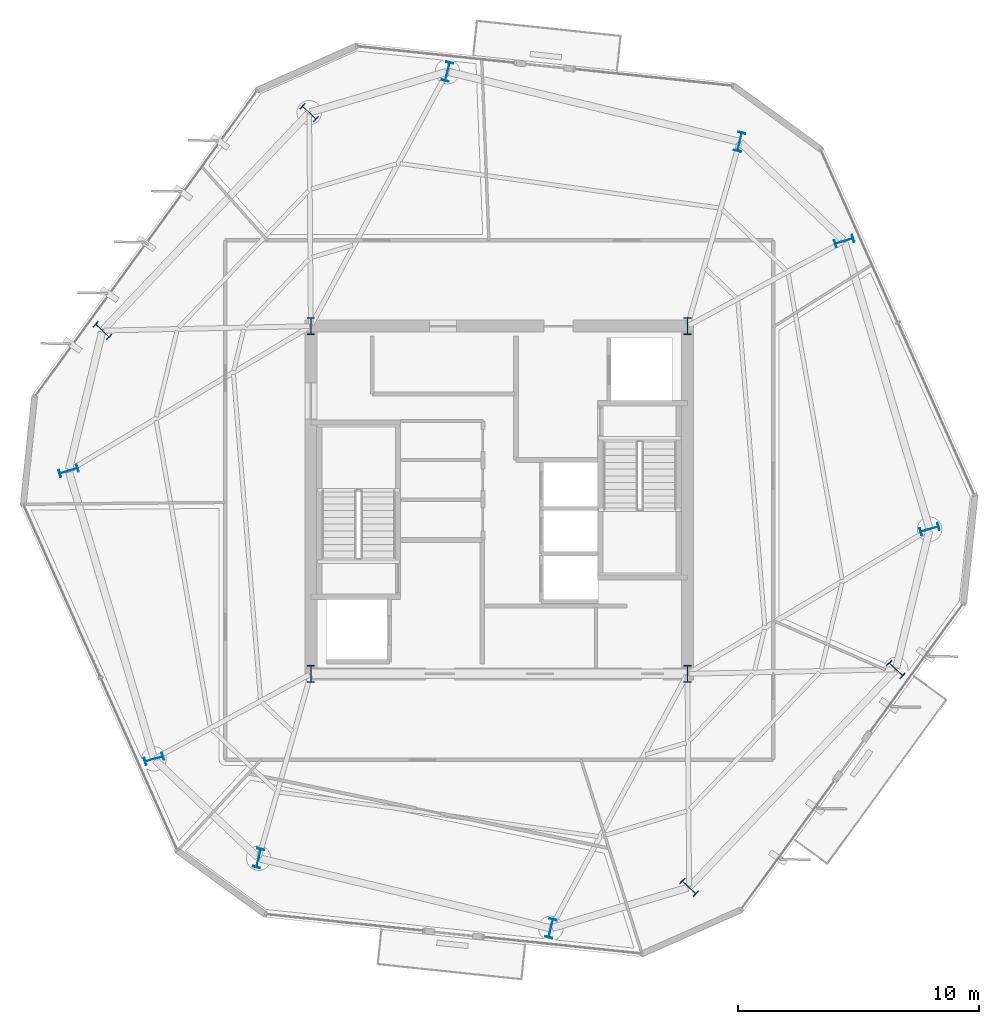
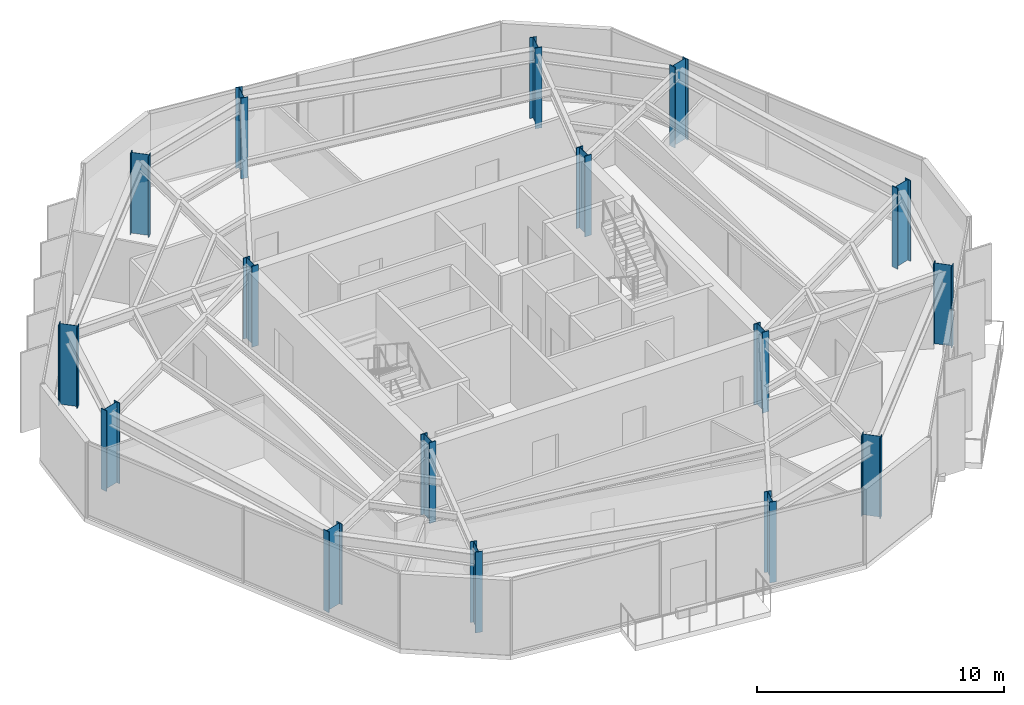
# One storey, part 1 of 12: 16 columns.
"""IFC4 building model written with IfcOpenShell, lengths in metres."""

from ifc_helpers import new_model, si_unit, direction, frame, origin, origin_2d, place, context, subcontext, project, spatial, i_section, extrude, material, material_profile, profile_set, type_object, element, save


model = new_model("IFC4")

# Units and contexts
model_context = context("Model", 3, precision=1e-05, world=origin(), true_north=direction((0.0, 1.0)))
body_context = subcontext(model_context, "Body", "Model", "MODEL_VIEW")
ifc_project = project(units=[si_unit("LENGTHUNIT", "METRE"), si_unit("AREAUNIT", "SQUARE_METRE"), si_unit("VOLUMEUNIT", "CUBIC_METRE"), si_unit("PLANEANGLEUNIT", "RADIAN"), si_unit("MASSUNIT", "GRAM", prefix="KILO")], contexts=[model_context])

# Site, building, storey
site_placement = place(None, origin())
site = spatial("IfcSite", under=ifc_project, at=site_placement, CompositionType="ELEMENT")
building_placement = place(site_placement, origin())
building = spatial("IfcBuilding", under=site, at=building_placement, Name="Kranzbogen Civic Tower", CompositionType="ELEMENT")
storey_placement = place(building_placement, frame((0.0, 0.0, 240.800048828125)))
storey = spatial("IfcBuildingStorey", under=building, at=storey_placement, Name="L58", CompositionType="ELEMENT", Elevation=240.800048828125)

# Columns
ifc_material_1 = material(Name="Steel S355", Category="steel")
ifc_material_profile_1 = material_profile(ifc_material_1, i_section(OverallWidth=0.300048828125, OverallDepth=0.800048828125, WebThickness=0.017578125, FlangeThickness=0.032958984375, at=origin_2d()), Name="HEB 800")
ifc_profile_set_1 = profile_set([ifc_material_profile_1], Name="Steel S355")
column_type_1 = type_object("IfcColumnType", Name="Structural Column HEB 800", PredefinedType="COLUMN", material=ifc_profile_set_1)
for number, where, z_axis, x_axis, name in (
    (1, (34.9609375, 39.8349609375, 0.0), (0.0, 0.0, 1.0), (-0.972369920398, 0.233445363856, 0.0), "L58 tower perimeter tube column 01"),
    (2, (22.860107421875, 42.739990234375, 0.0), (0.0, 0.0, 1.0), (-0.972369920398, 0.233445363856, 0.0), "L58 tower perimeter tube column 02"),
    (3, (17.133056640625, 41.0439453125, 0.0), (0.0, 0.0, 1.0), (0.688354575694, 0.725374371012, 0.0), "L58 tower perimeter tube column 03"),
    (4, (8.56689453125, 32.01611328125, 0.0), (0.0, 0.0, 1.0), (0.688354575694, 0.725374371012, 0.0), "L58 tower perimeter tube column 04"),
    (5, (7.172119140625, 26.208984375, 0.0), (0.0, 0.0, 1.0), (-0.284015344704, 0.958819734868, 0.0), "L58 tower perimeter tube column 05"),
    (6, (10.70703125, 14.27587890625, 0.0), (0.0, 0.0, 1.0), (-0.284015344704, 0.958819734868, 0.0), "L58 tower perimeter tube column 06"),
    (7, (15.0390625, 10.1650390625, 0.0), (0.0, 0.0, 1.0), (-0.972369920398, 0.233445363856, 0.0), "L58 tower perimeter tube column 07"),
    (8, (27.139892578125, 7.260009765625, 0.0), (0.0, 0.0, 1.0), (-0.972369920398, 0.233445363856, 0.0), "L58 tower perimeter tube column 08"),
    (9, (32.866943359375, 8.9560546875, 0.0), (0.0, 0.0, 1.0), (0.688354575694, 0.725374371012, 0.0), "L58 tower perimeter tube column 09"),
    (10, (41.43310546875, 17.98388671875, 0.0), (0.0, 0.0, 1.0), (0.688354575694, 0.725374371012, 0.0), "L58 tower perimeter tube column 10"),
    (11, (42.827880859375, 23.791015625, 0.0), (0.0, 0.0, 1.0), (-0.284015344704, 0.958819734868, 0.0), "L58 tower perimeter tube column 11"),
    (12, (39.29296875, 35.72412109375, 0.0), (0.0, 0.0, 1.0), (-0.284015344704, 0.958819734868, 0.0), "L58 tower perimeter tube column 12"),
):
    element("IfcColumn", number, at=place(storey_placement, frame(where, z_axis=z_axis, x_axis=x_axis)), inside=storey, type_object=column_type_1, Name=name, PredefinedType="COLUMN", context=body_context, shape_type="SweptSolid", body=[
        extrude(i_section(OverallWidth=0.300048828125, OverallDepth=0.800048828125, WebThickness=0.017578125, FlangeThickness=0.032958984375, at=origin_2d()), origin(), (0.0, 0.0, 1.0), 4.0),
    ])
ifc_material_2 = material(Name="Steel S460", Category="steel")
ifc_material_profile_2 = material_profile(ifc_material_2, i_section(OverallWidth=0.303955078125, OverallDepth=0.716064453125, WebThickness=0.02099609375, FlangeThickness=0.0400390625, at=origin_2d()), Name="HEM 700")
ifc_profile_set_2 = profile_set([ifc_material_profile_2], Name="Steel S460")
column_type_2 = type_object("IfcColumnType", Name="Structural Column HEM 700", PredefinedType="COLUMN", material=ifc_profile_set_2)
for number, where, z_axis, x_axis, name in (
    (13, (17.199951171875, 17.800048828125, 0.0), (0.0, 0.0, 1.0), (1.0, 0.0, 0.0), "L58 composite core corner column 1"),
    (14, (32.800048828125, 17.800048828125, 0.0), (0.0, 0.0, 1.0), (1.0, 0.0, 0.0), "L58 composite core corner column 2"),
    (15, (32.800048828125, 32.199951171875, 0.0), (0.0, 0.0, 1.0), (1.0, 0.0, 0.0), "L58 composite core corner column 3"),
    (16, (17.199951171875, 32.199951171875, 0.0), (0.0, 0.0, 1.0), (1.0, 0.0, 0.0), "L58 composite core corner column 4"),
):
    element("IfcColumn", number, at=place(storey_placement, frame(where, z_axis=z_axis, x_axis=x_axis)), inside=storey, type_object=column_type_2, Name=name, PredefinedType="COLUMN", context=body_context, shape_type="SweptSolid", body=[
        extrude(i_section(OverallWidth=0.303955078125, OverallDepth=0.716064453125, WebThickness=0.02099609375, FlangeThickness=0.0400390625, at=origin_2d()), origin(), (0.0, 0.0, 1.0), 4.0),
    ])

save(model, "model.ifc")
